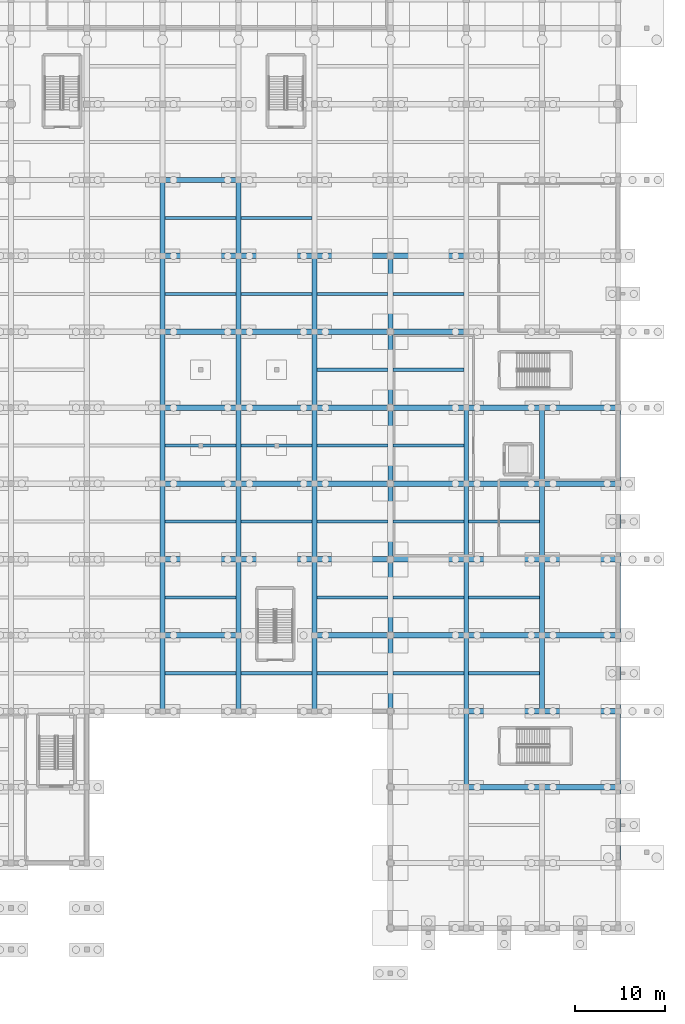
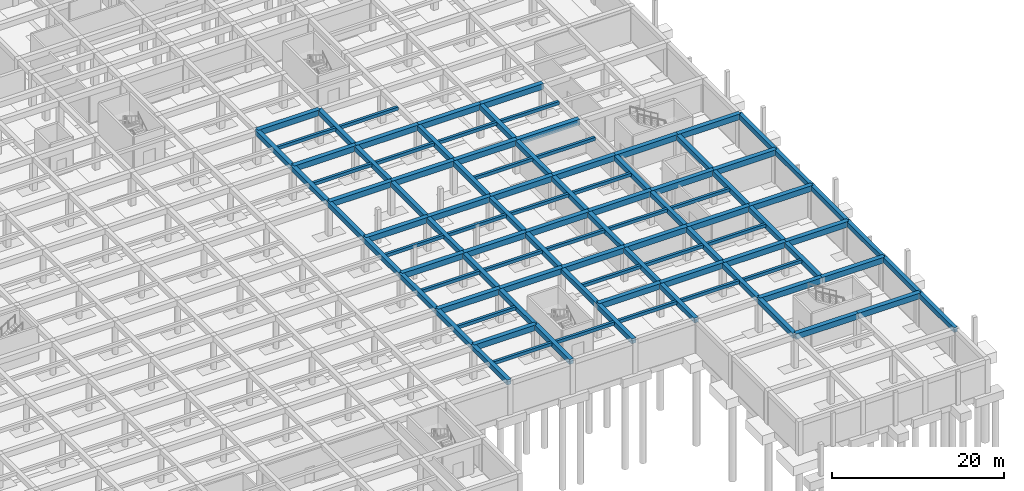
# One storey, part 21 of 51: 103 beams.
"""IFC4 building model written with IfcOpenShell, lengths in metres."""

from ifc_helpers import new_model, si_unit, direction, frame, origin, origin_2d, place, context, subcontext, project, spatial, rectangle, extrude, material, material_profile, profile_set, type_object, element, save


model = new_model("IFC4")

# Units and contexts
model_context = context("Model", 3, precision=1e-05, world=origin(), true_north=direction((0.0, 1.0)))
body_context = subcontext(model_context, "Body", "Model", "MODEL_VIEW")
ifc_project = project(units=[si_unit("LENGTHUNIT", "METRE"), si_unit("AREAUNIT", "SQUARE_METRE"), si_unit("VOLUMEUNIT", "CUBIC_METRE"), si_unit("PLANEANGLEUNIT", "RADIAN"), si_unit("MASSUNIT", "GRAM", prefix="KILO")], contexts=[model_context])

# Site, building, storey
site_placement = place(None, origin())
site = spatial("IfcSite", under=ifc_project, at=site_placement, CompositionType="ELEMENT")
building_placement = place(site_placement, origin())
building = spatial("IfcBuilding", under=site, at=building_placement, Name="Varncliffe General Hospital", CompositionType="ELEMENT")
storey_placement = place(building_placement, frame((0.0, 0.0, -4.800048828125)))
storey = spatial("IfcBuildingStorey", under=building, at=storey_placement, Name="B1", CompositionType="ELEMENT", Elevation=-4.800048828125)

# Beams
ifc_material = material(Name="Concrete C35/45 (CSA A23.1 35 MPa)", Category="concrete")
ifc_material_profile_1 = material_profile(ifc_material, rectangle(XDim=0.550048828125, YDim=0.699951171875, at=origin_2d()), Name="RC 550x700")
ifc_profile_set_1 = profile_set([ifc_material_profile_1], Name="Concrete C35/45 (CSA A23.1 35 MPa)")
beam_type_1 = type_object("IfcBeamType", Name="Beam B35 (Int RC 550x700)", PredefinedType="BEAM", material=ifc_profile_set_1)
beam_1_placement = place(storey_placement, frame((126.0, 24.0, 4.449951171875), z_axis=(0.0, 1.0, 0.0), x_axis=(-1.0, 0.0, 0.0)))
element("IfcBeam", 1, at=beam_1_placement, inside=storey, type_object=beam_type_1, Name="B1 Primary Beam B35-546", PredefinedType="BEAM", context=body_context, shape_type="SweptSolid", body=[
    extrude(rectangle(XDim=0.550048828125, YDim=0.699951171875, at=origin_2d()), origin(), (0.0, 0.0, 1.0), 8.39990234375),
])
beam_2_placement = place(storey_placement, frame((126.0, 32.39990234375, 4.449951171875), z_axis=(0.0, 1.0, 0.0), x_axis=(-1.0, 0.0, 0.0)))
element("IfcBeam", 2, at=beam_2_placement, inside=storey, type_object=beam_type_1, Name="B1 Primary Beam B35-547", PredefinedType="BEAM", context=body_context, shape_type="SweptSolid", body=[
    extrude(rectangle(XDim=0.550048828125, YDim=0.699951171875, at=origin_2d()), origin(), (0.0, 0.0, 1.0), 8.400146484375),
])
beam_3_placement = place(storey_placement, frame((126.0, 40.800048828125, 4.449951171875), z_axis=(0.0, 1.0, 0.0), x_axis=(-1.0, 0.0, 0.0)))
element("IfcBeam", 3, at=beam_3_placement, inside=storey, type_object=beam_type_1, Name="B1 Primary Beam B35-548", PredefinedType="BEAM", context=body_context, shape_type="SweptSolid", body=[
    extrude(rectangle(XDim=0.550048828125, YDim=0.699951171875, at=origin_2d()), origin(), (0.0, 0.0, 1.0), 8.39990234375),
])
beam_4_placement = place(storey_placement, frame((126.0, 49.199951171875, 4.449951171875), z_axis=(0.0, 1.0, 0.0), x_axis=(-1.0, 0.0, 0.0)))
element("IfcBeam", 4, at=beam_4_placement, inside=storey, type_object=beam_type_1, Name="B1 Primary Beam B35-549", PredefinedType="BEAM", context=body_context, shape_type="SweptSolid", body=[
    extrude(rectangle(XDim=0.550048828125, YDim=0.699951171875, at=origin_2d()), origin(), (0.0, 0.0, 1.0), 8.400146484375),
])
for number, where, z_axis, x_axis, name in (
    (5, (126.0, 57.60009765625, 4.449951171875), (0.0, 1.0, 0.0), (-1.0, 0.0, 0.0), "B1 Primary Beam B35-550"),
    (6, (126.0, 66.0, 4.449951171875), (0.0, 1.0, 0.0), (-1.0, 0.0, 0.0), "B1 Primary Beam B35-551"),
):
    element("IfcBeam", number, at=place(storey_placement, frame(where, z_axis=z_axis, x_axis=x_axis)), inside=storey, type_object=beam_type_1, Name=name, PredefinedType="BEAM", context=body_context, shape_type="SweptSolid", body=[
        extrude(rectangle(XDim=0.550048828125, YDim=0.699951171875, at=origin_2d()), origin(), (0.0, 0.0, 1.0), 8.39990234375),
    ])
beam_5_placement = place(storey_placement, frame((126.0, 74.39990234375, 4.449951171875), z_axis=(0.0, 1.0, 0.0), x_axis=(-1.0, 0.0, 0.0)))
element("IfcBeam", 7, at=beam_5_placement, inside=storey, type_object=beam_type_1, Name="B1 Primary Beam B35-552", PredefinedType="BEAM", context=body_context, shape_type="SweptSolid", body=[
    extrude(rectangle(XDim=0.550048828125, YDim=0.699951171875, at=origin_2d()), origin(), (0.0, 0.0, 1.0), 8.400146484375),
])
beam_6_placement = place(storey_placement, frame((134.39990234375, 24.0, 4.449951171875), z_axis=(0.0, 1.0, 0.0), x_axis=(-1.0, 0.0, 0.0)))
element("IfcBeam", 8, at=beam_6_placement, inside=storey, type_object=beam_type_1, Name="B1 Primary Beam B35-560", PredefinedType="BEAM", context=body_context, shape_type="SweptSolid", body=[
    extrude(rectangle(XDim=0.550048828125, YDim=0.699951171875, at=origin_2d()), origin(), (0.0, 0.0, 1.0), 8.39990234375),
])
beam_7_placement = place(storey_placement, frame((134.39990234375, 32.39990234375, 4.449951171875), z_axis=(0.0, 1.0, 0.0), x_axis=(-1.0, 0.0, 0.0)))
element("IfcBeam", 9, at=beam_7_placement, inside=storey, type_object=beam_type_1, Name="B1 Primary Beam B35-561", PredefinedType="BEAM", context=body_context, shape_type="SweptSolid", body=[
    extrude(rectangle(XDim=0.550048828125, YDim=0.699951171875, at=origin_2d()), origin(), (0.0, 0.0, 1.0), 8.400146484375),
])
beam_8_placement = place(storey_placement, frame((134.39990234375, 40.800048828125, 4.449951171875), z_axis=(0.0, 1.0, 0.0), x_axis=(-1.0, 0.0, 0.0)))
element("IfcBeam", 10, at=beam_8_placement, inside=storey, type_object=beam_type_1, Name="B1 Primary Beam B35-562", PredefinedType="BEAM", context=body_context, shape_type="SweptSolid", body=[
    extrude(rectangle(XDim=0.550048828125, YDim=0.699951171875, at=origin_2d()), origin(), (0.0, 0.0, 1.0), 8.39990234375),
])
beam_9_placement = place(storey_placement, frame((134.39990234375, 49.199951171875, 4.449951171875), z_axis=(0.0, 1.0, 0.0), x_axis=(-1.0, 0.0, 0.0)))
element("IfcBeam", 11, at=beam_9_placement, inside=storey, type_object=beam_type_1, Name="B1 Primary Beam B35-563", PredefinedType="BEAM", context=body_context, shape_type="SweptSolid", body=[
    extrude(rectangle(XDim=0.550048828125, YDim=0.699951171875, at=origin_2d()), origin(), (0.0, 0.0, 1.0), 8.400146484375),
])
for number, where, z_axis, x_axis, name in (
    (12, (134.39990234375, 57.60009765625, 4.449951171875), (0.0, 1.0, 0.0), (-1.0, 0.0, 0.0), "B1 Primary Beam B35-564"),
    (13, (134.39990234375, 66.0, 4.449951171875), (0.0, 1.0, 0.0), (-1.0, 0.0, 0.0), "B1 Primary Beam B35-565"),
):
    element("IfcBeam", number, at=place(storey_placement, frame(where, z_axis=z_axis, x_axis=x_axis)), inside=storey, type_object=beam_type_1, Name=name, PredefinedType="BEAM", context=body_context, shape_type="SweptSolid", body=[
        extrude(rectangle(XDim=0.550048828125, YDim=0.699951171875, at=origin_2d()), origin(), (0.0, 0.0, 1.0), 8.39990234375),
    ])
beam_10_placement = place(storey_placement, frame((134.39990234375, 74.39990234375, 4.449951171875), z_axis=(0.0, 1.0, 0.0), x_axis=(-1.0, 0.0, 0.0)))
element("IfcBeam", 14, at=beam_10_placement, inside=storey, type_object=beam_type_1, Name="B1 Primary Beam B35-566", PredefinedType="BEAM", context=body_context, shape_type="SweptSolid", body=[
    extrude(rectangle(XDim=0.550048828125, YDim=0.699951171875, at=origin_2d()), origin(), (0.0, 0.0, 1.0), 8.400146484375),
])
beam_11_placement = place(storey_placement, frame((142.800048828125, 24.0, 4.449951171875), z_axis=(0.0, 1.0, 0.0), x_axis=(-1.0, 0.0, 0.0)))
element("IfcBeam", 15, at=beam_11_placement, inside=storey, type_object=beam_type_1, Name="B1 Primary Beam B35-574", PredefinedType="BEAM", context=body_context, shape_type="SweptSolid", body=[
    extrude(rectangle(XDim=0.550048828125, YDim=0.699951171875, at=origin_2d()), origin(), (0.0, 0.0, 1.0), 8.39990234375),
])
beam_12_placement = place(storey_placement, frame((142.800048828125, 32.39990234375, 4.449951171875), z_axis=(0.0, 1.0, 0.0), x_axis=(-1.0, 0.0, 0.0)))
element("IfcBeam", 16, at=beam_12_placement, inside=storey, type_object=beam_type_1, Name="B1 Primary Beam B35-575", PredefinedType="BEAM", context=body_context, shape_type="SweptSolid", body=[
    extrude(rectangle(XDim=0.550048828125, YDim=0.699951171875, at=origin_2d()), origin(), (0.0, 0.0, 1.0), 8.400146484375),
])
beam_13_placement = place(storey_placement, frame((142.800048828125, 40.800048828125, 4.449951171875), z_axis=(0.0, 1.0, 0.0), x_axis=(-1.0, 0.0, 0.0)))
element("IfcBeam", 17, at=beam_13_placement, inside=storey, type_object=beam_type_1, Name="B1 Primary Beam B35-576", PredefinedType="BEAM", context=body_context, shape_type="SweptSolid", body=[
    extrude(rectangle(XDim=0.550048828125, YDim=0.699951171875, at=origin_2d()), origin(), (0.0, 0.0, 1.0), 8.39990234375),
])
beam_14_placement = place(storey_placement, frame((142.800048828125, 49.199951171875, 4.449951171875), z_axis=(0.0, 1.0, 0.0), x_axis=(-1.0, 0.0, 0.0)))
element("IfcBeam", 18, at=beam_14_placement, inside=storey, type_object=beam_type_1, Name="B1 Primary Beam B35-577", PredefinedType="BEAM", context=body_context, shape_type="SweptSolid", body=[
    extrude(rectangle(XDim=0.550048828125, YDim=0.699951171875, at=origin_2d()), origin(), (0.0, 0.0, 1.0), 8.400146484375),
])
for number, where, z_axis, x_axis, name in (
    (19, (142.800048828125, 57.60009765625, 4.449951171875), (0.0, 1.0, 0.0), (-1.0, 0.0, 0.0), "B1 Primary Beam B35-578"),
    (20, (142.800048828125, 66.0, 4.449951171875), (0.0, 1.0, 0.0), (-1.0, 0.0, 0.0), "B1 Primary Beam B35-579"),
    (21, (151.199951171875, 24.0, 4.449951171875), (0.0, 1.0, 0.0), (-1.0, 0.0, 0.0), "B1 Primary Beam B35-591"),
):
    element("IfcBeam", number, at=place(storey_placement, frame(where, z_axis=z_axis, x_axis=x_axis)), inside=storey, type_object=beam_type_1, Name=name, PredefinedType="BEAM", context=body_context, shape_type="SweptSolid", body=[
        extrude(rectangle(XDim=0.550048828125, YDim=0.699951171875, at=origin_2d()), origin(), (0.0, 0.0, 1.0), 8.39990234375),
    ])
beam_15_placement = place(storey_placement, frame((151.199951171875, 32.39990234375, 4.449951171875), z_axis=(0.0, 1.0, 0.0), x_axis=(-1.0, 0.0, 0.0)))
element("IfcBeam", 22, at=beam_15_placement, inside=storey, type_object=beam_type_1, Name="B1 Primary Beam B35-592", PredefinedType="BEAM", context=body_context, shape_type="SweptSolid", body=[
    extrude(rectangle(XDim=0.550048828125, YDim=0.699951171875, at=origin_2d()), origin(), (0.0, 0.0, 1.0), 8.400146484375),
])
beam_16_placement = place(storey_placement, frame((151.199951171875, 40.800048828125, 4.449951171875), z_axis=(0.0, 1.0, 0.0), x_axis=(-1.0, 0.0, 0.0)))
element("IfcBeam", 23, at=beam_16_placement, inside=storey, type_object=beam_type_1, Name="B1 Primary Beam B35-593", PredefinedType="BEAM", context=body_context, shape_type="SweptSolid", body=[
    extrude(rectangle(XDim=0.550048828125, YDim=0.699951171875, at=origin_2d()), origin(), (0.0, 0.0, 1.0), 8.39990234375),
])
beam_17_placement = place(storey_placement, frame((151.199951171875, 49.199951171875, 4.449951171875), z_axis=(0.0, 1.0, 0.0), x_axis=(-1.0, 0.0, 0.0)))
element("IfcBeam", 24, at=beam_17_placement, inside=storey, type_object=beam_type_1, Name="B1 Primary Beam B35-594", PredefinedType="BEAM", context=body_context, shape_type="SweptSolid", body=[
    extrude(rectangle(XDim=0.550048828125, YDim=0.699951171875, at=origin_2d()), origin(), (0.0, 0.0, 1.0), 8.400146484375),
])
for number, where, z_axis, x_axis, name in (
    (25, (151.199951171875, 57.60009765625, 4.449951171875), (0.0, 1.0, 0.0), (-1.0, 0.0, 0.0), "B1 Primary Beam B35-595"),
    (26, (151.199951171875, 66.0, 4.449951171875), (0.0, 1.0, 0.0), (-1.0, 0.0, 0.0), "B1 Primary Beam B35-596"),
    (27, (159.60009765625, 15.60009765625, 4.449951171875), (0.0, 1.0, 0.0), (-1.0, 0.0, 0.0), "B1 Primary Beam B35-607"),
    (28, (159.60009765625, 24.0, 4.449951171875), (0.0, 1.0, 0.0), (-1.0, 0.0, 0.0), "B1 Primary Beam B35-608"),
):
    element("IfcBeam", number, at=place(storey_placement, frame(where, z_axis=z_axis, x_axis=x_axis)), inside=storey, type_object=beam_type_1, Name=name, PredefinedType="BEAM", context=body_context, shape_type="SweptSolid", body=[
        extrude(rectangle(XDim=0.550048828125, YDim=0.699951171875, at=origin_2d()), origin(), (0.0, 0.0, 1.0), 8.39990234375),
    ])
beam_18_placement = place(storey_placement, frame((159.60009765625, 32.39990234375, 4.449951171875), z_axis=(0.0, 1.0, 0.0), x_axis=(-1.0, 0.0, 0.0)))
element("IfcBeam", 29, at=beam_18_placement, inside=storey, type_object=beam_type_1, Name="B1 Primary Beam B35-609", PredefinedType="BEAM", context=body_context, shape_type="SweptSolid", body=[
    extrude(rectangle(XDim=0.550048828125, YDim=0.699951171875, at=origin_2d()), origin(), (0.0, 0.0, 1.0), 8.400146484375),
])
beam_19_placement = place(storey_placement, frame((159.60009765625, 40.800048828125, 4.449951171875), z_axis=(0.0, 1.0, 0.0), x_axis=(-1.0, 0.0, 0.0)))
element("IfcBeam", 30, at=beam_19_placement, inside=storey, type_object=beam_type_1, Name="B1 Primary Beam B35-610", PredefinedType="BEAM", context=body_context, shape_type="SweptSolid", body=[
    extrude(rectangle(XDim=0.550048828125, YDim=0.699951171875, at=origin_2d()), origin(), (0.0, 0.0, 1.0), 8.39990234375),
])
beam_20_placement = place(storey_placement, frame((159.60009765625, 49.199951171875, 4.449951171875), z_axis=(0.0, 1.0, 0.0), x_axis=(-1.0, 0.0, 0.0)))
element("IfcBeam", 31, at=beam_20_placement, inside=storey, type_object=beam_type_1, Name="B1 Primary Beam B35-611", PredefinedType="BEAM", context=body_context, shape_type="SweptSolid", body=[
    extrude(rectangle(XDim=0.550048828125, YDim=0.699951171875, at=origin_2d()), origin(), (0.0, 0.0, 1.0), 8.400146484375),
])
beam_21_placement = place(storey_placement, frame((168.0, 24.0, 4.449951171875), z_axis=(0.0, 1.0, 0.0), x_axis=(-1.0, 0.0, 0.0)))
element("IfcBeam", 32, at=beam_21_placement, inside=storey, type_object=beam_type_1, Name="B1 Primary Beam B35-624", PredefinedType="BEAM", context=body_context, shape_type="SweptSolid", body=[
    extrude(rectangle(XDim=0.550048828125, YDim=0.699951171875, at=origin_2d()), origin(), (0.0, 0.0, 1.0), 8.39990234375),
])
beam_22_placement = place(storey_placement, frame((168.0, 32.39990234375, 4.449951171875), z_axis=(0.0, 1.0, 0.0), x_axis=(-1.0, 0.0, 0.0)))
element("IfcBeam", 33, at=beam_22_placement, inside=storey, type_object=beam_type_1, Name="B1 Primary Beam B35-625", PredefinedType="BEAM", context=body_context, shape_type="SweptSolid", body=[
    extrude(rectangle(XDim=0.550048828125, YDim=0.699951171875, at=origin_2d()), origin(), (0.0, 0.0, 1.0), 8.400146484375),
])
beam_23_placement = place(storey_placement, frame((168.0, 40.800048828125, 4.449951171875), z_axis=(0.0, 1.0, 0.0), x_axis=(-1.0, 0.0, 0.0)))
element("IfcBeam", 34, at=beam_23_placement, inside=storey, type_object=beam_type_1, Name="B1 Primary Beam B35-626", PredefinedType="BEAM", context=body_context, shape_type="SweptSolid", body=[
    extrude(rectangle(XDim=0.550048828125, YDim=0.699951171875, at=origin_2d()), origin(), (0.0, 0.0, 1.0), 8.39990234375),
])
beam_24_placement = place(storey_placement, frame((168.0, 49.199951171875, 4.449951171875), z_axis=(0.0, 1.0, 0.0), x_axis=(-1.0, 0.0, 0.0)))
element("IfcBeam", 35, at=beam_24_placement, inside=storey, type_object=beam_type_1, Name="B1 Primary Beam B35-627", PredefinedType="BEAM", context=body_context, shape_type="SweptSolid", body=[
    extrude(rectangle(XDim=0.550048828125, YDim=0.699951171875, at=origin_2d()), origin(), (0.0, 0.0, 1.0), 8.400146484375),
])
ifc_material_profile_2 = material_profile(ifc_material, rectangle(XDim=0.60009765625, YDim=0.800048828125, at=origin_2d()), Name="RC 600x800")
ifc_profile_set_2 = profile_set([ifc_material_profile_2], Name="Concrete C35/45 (CSA A23.1 35 MPa)")
beam_type_2 = type_object("IfcBeamType", Name="Beam B40 (Int RC 600x800)", PredefinedType="BEAM", material=ifc_profile_set_2)
for number, where, z_axis, x_axis, name in (
    (36, (159.60009765625, 15.60009765625, 4.400146484375), (1.0, 0.0, 0.0), (0.0, 1.0, 0.0), "B1 Primary Beam B40-29"),
    (37, (168.0, 15.60009765625, 4.400146484375), (1.0, 0.0, 0.0), (0.0, 1.0, 0.0), "B1 Primary Beam B40-30"),
    (38, (159.60009765625, 24.0, 4.400146484375), (1.0, 0.0, 0.0), (0.0, 1.0, 0.0), "B1 Primary Beam B40-49"),
    (39, (168.0, 24.0, 4.400146484375), (1.0, 0.0, 0.0), (0.0, 1.0, 0.0), "B1 Primary Beam B40-50"),
    (40, (126.0, 32.39990234375, 4.400146484375), (1.0, 0.0, 0.0), (0.0, 1.0, 0.0), "B1 Primary Beam B40-65"),
    (41, (142.800048828125, 32.39990234375, 4.400146484375), (1.0, 0.0, 0.0), (0.0, 1.0, 0.0), "B1 Primary Beam B40-66"),
):
    element("IfcBeam", number, at=place(storey_placement, frame(where, z_axis=z_axis, x_axis=x_axis)), inside=storey, type_object=beam_type_2, Name=name, PredefinedType="BEAM", context=body_context, shape_type="SweptSolid", body=[
        extrude(rectangle(XDim=0.60009765625, YDim=0.800048828125, at=origin_2d()), origin(), (0.0, 0.0, 1.0), 8.39990234375),
    ])
beam_25_placement = place(storey_placement, frame((151.199951171875, 32.39990234375, 4.400146484375), z_axis=(1.0, 0.0, 0.0), x_axis=(0.0, 1.0, 0.0)))
element("IfcBeam", 42, at=beam_25_placement, inside=storey, type_object=beam_type_2, Name="B1 Primary Beam B40-67", PredefinedType="BEAM", context=body_context, shape_type="SweptSolid", body=[
    extrude(rectangle(XDim=0.60009765625, YDim=0.800048828125, at=origin_2d()), origin(), (0.0, 0.0, 1.0), 8.400146484375),
])
for number, where, z_axis, x_axis, name in (
    (43, (159.60009765625, 32.39990234375, 4.400146484375), (1.0, 0.0, 0.0), (0.0, 1.0, 0.0), "B1 Primary Beam B40-68"),
    (44, (168.0, 32.39990234375, 4.400146484375), (1.0, 0.0, 0.0), (0.0, 1.0, 0.0), "B1 Primary Beam B40-69"),
    (45, (126.0, 40.800048828125, 4.400146484375), (1.0, 0.0, 0.0), (0.0, 1.0, 0.0), "B1 Primary Beam B40-85"),
):
    element("IfcBeam", number, at=place(storey_placement, frame(where, z_axis=z_axis, x_axis=x_axis)), inside=storey, type_object=beam_type_2, Name=name, PredefinedType="BEAM", context=body_context, shape_type="SweptSolid", body=[
        extrude(rectangle(XDim=0.60009765625, YDim=0.800048828125, at=origin_2d()), origin(), (0.0, 0.0, 1.0), 8.39990234375),
    ])
beam_26_placement = place(storey_placement, frame((134.39990234375, 40.800048828125, 4.400146484375), z_axis=(1.0, 0.0, 0.0), x_axis=(0.0, 1.0, 0.0)))
element("IfcBeam", 46, at=beam_26_placement, inside=storey, type_object=beam_type_2, Name="B1 Primary Beam B40-86", PredefinedType="BEAM", context=body_context, shape_type="SweptSolid", body=[
    extrude(rectangle(XDim=0.60009765625, YDim=0.800048828125, at=origin_2d()), origin(), (0.0, 0.0, 1.0), 8.400146484375),
])
beam_27_placement = place(storey_placement, frame((142.800048828125, 40.800048828125, 4.400146484375), z_axis=(1.0, 0.0, 0.0), x_axis=(0.0, 1.0, 0.0)))
element("IfcBeam", 47, at=beam_27_placement, inside=storey, type_object=beam_type_2, Name="B1 Primary Beam B40-87", PredefinedType="BEAM", context=body_context, shape_type="SweptSolid", body=[
    extrude(rectangle(XDim=0.60009765625, YDim=0.800048828125, at=origin_2d()), origin(), (0.0, 0.0, 1.0), 8.39990234375),
])
beam_28_placement = place(storey_placement, frame((151.199951171875, 40.800048828125, 4.400146484375), z_axis=(1.0, 0.0, 0.0), x_axis=(0.0, 1.0, 0.0)))
element("IfcBeam", 48, at=beam_28_placement, inside=storey, type_object=beam_type_2, Name="B1 Primary Beam B40-88", PredefinedType="BEAM", context=body_context, shape_type="SweptSolid", body=[
    extrude(rectangle(XDim=0.60009765625, YDim=0.800048828125, at=origin_2d()), origin(), (0.0, 0.0, 1.0), 8.400146484375),
])
for number, where, z_axis, x_axis, name in (
    (49, (159.60009765625, 40.800048828125, 4.400146484375), (1.0, 0.0, 0.0), (0.0, 1.0, 0.0), "B1 Primary Beam B40-89"),
    (50, (168.0, 40.800048828125, 4.400146484375), (1.0, 0.0, 0.0), (0.0, 1.0, 0.0), "B1 Primary Beam B40-90"),
    (51, (126.0, 49.199951171875, 4.400146484375), (1.0, 0.0, 0.0), (0.0, 1.0, 0.0), "B1 Primary Beam B40-106"),
):
    element("IfcBeam", number, at=place(storey_placement, frame(where, z_axis=z_axis, x_axis=x_axis)), inside=storey, type_object=beam_type_2, Name=name, PredefinedType="BEAM", context=body_context, shape_type="SweptSolid", body=[
        extrude(rectangle(XDim=0.60009765625, YDim=0.800048828125, at=origin_2d()), origin(), (0.0, 0.0, 1.0), 8.39990234375),
    ])
beam_29_placement = place(storey_placement, frame((134.39990234375, 49.199951171875, 4.400146484375), z_axis=(1.0, 0.0, 0.0), x_axis=(0.0, 1.0, 0.0)))
element("IfcBeam", 52, at=beam_29_placement, inside=storey, type_object=beam_type_2, Name="B1 Primary Beam B40-107", PredefinedType="BEAM", context=body_context, shape_type="SweptSolid", body=[
    extrude(rectangle(XDim=0.60009765625, YDim=0.800048828125, at=origin_2d()), origin(), (0.0, 0.0, 1.0), 8.400146484375),
])
beam_30_placement = place(storey_placement, frame((142.800048828125, 49.199951171875, 4.400146484375), z_axis=(1.0, 0.0, 0.0), x_axis=(0.0, 1.0, 0.0)))
element("IfcBeam", 53, at=beam_30_placement, inside=storey, type_object=beam_type_2, Name="B1 Primary Beam B40-108", PredefinedType="BEAM", context=body_context, shape_type="SweptSolid", body=[
    extrude(rectangle(XDim=0.60009765625, YDim=0.800048828125, at=origin_2d()), origin(), (0.0, 0.0, 1.0), 8.39990234375),
])
beam_31_placement = place(storey_placement, frame((151.199951171875, 49.199951171875, 4.400146484375), z_axis=(1.0, 0.0, 0.0), x_axis=(0.0, 1.0, 0.0)))
element("IfcBeam", 54, at=beam_31_placement, inside=storey, type_object=beam_type_2, Name="B1 Primary Beam B40-109", PredefinedType="BEAM", context=body_context, shape_type="SweptSolid", body=[
    extrude(rectangle(XDim=0.60009765625, YDim=0.800048828125, at=origin_2d()), origin(), (0.0, 0.0, 1.0), 8.400146484375),
])
for number, where, z_axis, x_axis, name in (
    (55, (159.60009765625, 49.199951171875, 4.400146484375), (1.0, 0.0, 0.0), (0.0, 1.0, 0.0), "B1 Primary Beam B40-110"),
    (56, (168.0, 49.199951171875, 4.400146484375), (1.0, 0.0, 0.0), (0.0, 1.0, 0.0), "B1 Primary Beam B40-111"),
    (57, (126.0, 57.60009765625, 4.400146484375), (1.0, 0.0, 0.0), (0.0, 1.0, 0.0), "B1 Primary Beam B40-127"),
):
    element("IfcBeam", number, at=place(storey_placement, frame(where, z_axis=z_axis, x_axis=x_axis)), inside=storey, type_object=beam_type_2, Name=name, PredefinedType="BEAM", context=body_context, shape_type="SweptSolid", body=[
        extrude(rectangle(XDim=0.60009765625, YDim=0.800048828125, at=origin_2d()), origin(), (0.0, 0.0, 1.0), 8.39990234375),
    ])
beam_32_placement = place(storey_placement, frame((134.39990234375, 57.60009765625, 4.400146484375), z_axis=(1.0, 0.0, 0.0), x_axis=(0.0, 1.0, 0.0)))
element("IfcBeam", 58, at=beam_32_placement, inside=storey, type_object=beam_type_2, Name="B1 Primary Beam B40-128", PredefinedType="BEAM", context=body_context, shape_type="SweptSolid", body=[
    extrude(rectangle(XDim=0.60009765625, YDim=0.800048828125, at=origin_2d()), origin(), (0.0, 0.0, 1.0), 8.400146484375),
])
beam_33_placement = place(storey_placement, frame((142.800048828125, 57.60009765625, 4.400146484375), z_axis=(1.0, 0.0, 0.0), x_axis=(0.0, 1.0, 0.0)))
element("IfcBeam", 59, at=beam_33_placement, inside=storey, type_object=beam_type_2, Name="B1 Primary Beam B40-129", PredefinedType="BEAM", context=body_context, shape_type="SweptSolid", body=[
    extrude(rectangle(XDim=0.60009765625, YDim=0.800048828125, at=origin_2d()), origin(), (0.0, 0.0, 1.0), 8.39990234375),
])
beam_34_placement = place(storey_placement, frame((151.199951171875, 57.60009765625, 4.400146484375), z_axis=(1.0, 0.0, 0.0), x_axis=(0.0, 1.0, 0.0)))
element("IfcBeam", 60, at=beam_34_placement, inside=storey, type_object=beam_type_2, Name="B1 Primary Beam B40-130", PredefinedType="BEAM", context=body_context, shape_type="SweptSolid", body=[
    extrude(rectangle(XDim=0.60009765625, YDim=0.800048828125, at=origin_2d()), origin(), (0.0, 0.0, 1.0), 8.400146484375),
])
for number, where, z_axis, x_axis, name in (
    (61, (159.60009765625, 57.60009765625, 4.400146484375), (1.0, 0.0, 0.0), (0.0, 1.0, 0.0), "B1 Primary Beam B40-131"),
    (62, (168.0, 57.60009765625, 4.400146484375), (1.0, 0.0, 0.0), (0.0, 1.0, 0.0), "B1 Primary Beam B40-132"),
    (63, (126.0, 66.0, 4.400146484375), (1.0, 0.0, 0.0), (0.0, 1.0, 0.0), "B1 Primary Beam B40-148"),
):
    element("IfcBeam", number, at=place(storey_placement, frame(where, z_axis=z_axis, x_axis=x_axis)), inside=storey, type_object=beam_type_2, Name=name, PredefinedType="BEAM", context=body_context, shape_type="SweptSolid", body=[
        extrude(rectangle(XDim=0.60009765625, YDim=0.800048828125, at=origin_2d()), origin(), (0.0, 0.0, 1.0), 8.39990234375),
    ])
beam_35_placement = place(storey_placement, frame((134.39990234375, 66.0, 4.400146484375), z_axis=(1.0, 0.0, 0.0), x_axis=(0.0, 1.0, 0.0)))
element("IfcBeam", 64, at=beam_35_placement, inside=storey, type_object=beam_type_2, Name="B1 Primary Beam B40-149", PredefinedType="BEAM", context=body_context, shape_type="SweptSolid", body=[
    extrude(rectangle(XDim=0.60009765625, YDim=0.800048828125, at=origin_2d()), origin(), (0.0, 0.0, 1.0), 8.400146484375),
])
beam_36_placement = place(storey_placement, frame((142.800048828125, 66.0, 4.400146484375), z_axis=(1.0, 0.0, 0.0), x_axis=(0.0, 1.0, 0.0)))
element("IfcBeam", 65, at=beam_36_placement, inside=storey, type_object=beam_type_2, Name="B1 Primary Beam B40-150", PredefinedType="BEAM", context=body_context, shape_type="SweptSolid", body=[
    extrude(rectangle(XDim=0.60009765625, YDim=0.800048828125, at=origin_2d()), origin(), (0.0, 0.0, 1.0), 8.39990234375),
])
beam_37_placement = place(storey_placement, frame((151.199951171875, 66.0, 4.400146484375), z_axis=(1.0, 0.0, 0.0), x_axis=(0.0, 1.0, 0.0)))
element("IfcBeam", 66, at=beam_37_placement, inside=storey, type_object=beam_type_2, Name="B1 Primary Beam B40-151", PredefinedType="BEAM", context=body_context, shape_type="SweptSolid", body=[
    extrude(rectangle(XDim=0.60009765625, YDim=0.800048828125, at=origin_2d()), origin(), (0.0, 0.0, 1.0), 8.400146484375),
])
beam_38_placement = place(storey_placement, frame((126.0, 74.39990234375, 4.400146484375), z_axis=(1.0, 0.0, 0.0), x_axis=(0.0, 1.0, 0.0)))
element("IfcBeam", 67, at=beam_38_placement, inside=storey, type_object=beam_type_2, Name="B1 Primary Beam B40-169", PredefinedType="BEAM", context=body_context, shape_type="SweptSolid", body=[
    extrude(rectangle(XDim=0.60009765625, YDim=0.800048828125, at=origin_2d()), origin(), (0.0, 0.0, 1.0), 8.39990234375),
])
beam_39_placement = place(storey_placement, frame((134.39990234375, 74.39990234375, 4.400146484375), z_axis=(1.0, 0.0, 0.0), x_axis=(0.0, 1.0, 0.0)))
element("IfcBeam", 68, at=beam_39_placement, inside=storey, type_object=beam_type_2, Name="B1 Primary Beam B40-170", PredefinedType="BEAM", context=body_context, shape_type="SweptSolid", body=[
    extrude(rectangle(XDim=0.60009765625, YDim=0.800048828125, at=origin_2d()), origin(), (0.0, 0.0, 1.0), 8.400146484375),
])
beam_40_placement = place(storey_placement, frame((142.800048828125, 74.39990234375, 4.400146484375), z_axis=(1.0, 0.0, 0.0), x_axis=(0.0, 1.0, 0.0)))
element("IfcBeam", 69, at=beam_40_placement, inside=storey, type_object=beam_type_2, Name="B1 Primary Beam B40-171", PredefinedType="BEAM", context=body_context, shape_type="SweptSolid", body=[
    extrude(rectangle(XDim=0.60009765625, YDim=0.800048828125, at=origin_2d()), origin(), (0.0, 0.0, 1.0), 8.39990234375),
])
beam_41_placement = place(storey_placement, frame((151.199951171875, 74.39990234375, 4.400146484375), z_axis=(1.0, 0.0, 0.0), x_axis=(0.0, 1.0, 0.0)))
element("IfcBeam", 70, at=beam_41_placement, inside=storey, type_object=beam_type_2, Name="B1 Primary Beam B40-172", PredefinedType="BEAM", context=body_context, shape_type="SweptSolid", body=[
    extrude(rectangle(XDim=0.60009765625, YDim=0.800048828125, at=origin_2d()), origin(), (0.0, 0.0, 1.0), 8.400146484375),
])
beam_42_placement = place(storey_placement, frame((126.0, 82.800048828125, 4.400146484375), z_axis=(1.0, 0.0, 0.0), x_axis=(0.0, 1.0, 0.0)))
element("IfcBeam", 71, at=beam_42_placement, inside=storey, type_object=beam_type_2, Name="B1 Primary Beam B40-190", PredefinedType="BEAM", context=body_context, shape_type="SweptSolid", body=[
    extrude(rectangle(XDim=0.60009765625, YDim=0.800048828125, at=origin_2d()), origin(), (0.0, 0.0, 1.0), 8.39990234375),
])
ifc_material_profile_3 = material_profile(ifc_material, rectangle(XDim=0.35009765625, YDim=0.449951171875, at=origin_2d()), Name="RC 350x450")
ifc_profile_set_3 = profile_set([ifc_material_profile_3], Name="Concrete C35/45 (CSA A23.1 35 MPa)")
beam_type_3 = type_object("IfcBeamType", Name="Joist J55 (Int RC 350x450)", PredefinedType="JOIST", material=ifc_profile_set_3)
for number, where, z_axis, x_axis, name in (
    (72, (126.27294921875, 28.199951171875, 4.574951171875), (1.0, 0.0, 0.0), (0.0, 1.0, 0.0), "B1 Secondary Floor Rib J55-129"),
    (73, (126.27294921875, 36.60009765625, 4.574951171875), (1.0, 0.0, 0.0), (0.0, 1.0, 0.0), "B1 Secondary Floor Rib J55-130"),
    (74, (126.27294921875, 45.0, 4.574951171875), (1.0, 0.0, 0.0), (0.0, 1.0, 0.0), "B1 Secondary Floor Rib J55-131"),
    (75, (126.27294921875, 53.39990234375, 4.574951171875), (1.0, 0.0, 0.0), (0.0, 1.0, 0.0), "B1 Secondary Floor Rib J55-132"),
    (76, (126.27294921875, 70.199951171875, 4.574951171875), (1.0, 0.0, 0.0), (0.0, 1.0, 0.0), "B1 Secondary Floor Rib J55-133"),
    (77, (126.27294921875, 78.60009765625, 4.574951171875), (1.0, 0.0, 0.0), (0.0, 1.0, 0.0), "B1 Secondary Floor Rib J55-134"),
    (78, (134.673095703125, 28.199951171875, 4.574951171875), (1.0, 0.0, 0.0), (0.0, 1.0, 0.0), "B1 Secondary Floor Rib J55-137"),
    (79, (134.673095703125, 45.0, 4.574951171875), (1.0, 0.0, 0.0), (0.0, 1.0, 0.0), "B1 Secondary Floor Rib J55-138"),
    (80, (134.673095703125, 53.39990234375, 4.574951171875), (1.0, 0.0, 0.0), (0.0, 1.0, 0.0), "B1 Secondary Floor Rib J55-139"),
    (81, (134.673095703125, 70.199951171875, 4.574951171875), (1.0, 0.0, 0.0), (0.0, 1.0, 0.0), "B1 Secondary Floor Rib J55-140"),
    (82, (134.673095703125, 78.60009765625, 4.574951171875), (1.0, 0.0, 0.0), (0.0, 1.0, 0.0), "B1 Secondary Floor Rib J55-141"),
    (83, (143.072998046875, 28.199951171875, 4.574951171875), (1.0, 0.0, 0.0), (0.0, 1.0, 0.0), "B1 Secondary Floor Rib J55-143"),
    (84, (143.072998046875, 36.60009765625, 4.574951171875), (1.0, 0.0, 0.0), (0.0, 1.0, 0.0), "B1 Secondary Floor Rib J55-144"),
    (85, (143.072998046875, 45.0, 4.574951171875), (1.0, 0.0, 0.0), (0.0, 1.0, 0.0), "B1 Secondary Floor Rib J55-145"),
    (86, (143.072998046875, 53.39990234375, 4.574951171875), (1.0, 0.0, 0.0), (0.0, 1.0, 0.0), "B1 Secondary Floor Rib J55-146"),
    (87, (143.072998046875, 61.800048828125, 4.574951171875), (1.0, 0.0, 0.0), (0.0, 1.0, 0.0), "B1 Secondary Floor Rib J55-147"),
    (88, (143.072998046875, 70.199951171875, 4.574951171875), (1.0, 0.0, 0.0), (0.0, 1.0, 0.0), "B1 Secondary Floor Rib J55-148"),
    (89, (151.472900390625, 28.199951171875, 4.574951171875), (1.0, 0.0, 0.0), (0.0, 1.0, 0.0), "B1 Secondary Floor Rib J55-152"),
    (90, (151.472900390625, 36.60009765625, 4.574951171875), (1.0, 0.0, 0.0), (0.0, 1.0, 0.0), "B1 Secondary Floor Rib J55-153"),
    (91, (151.472900390625, 45.0, 4.574951171875), (1.0, 0.0, 0.0), (0.0, 1.0, 0.0), "B1 Secondary Floor Rib J55-154"),
    (92, (151.472900390625, 53.39990234375, 4.574951171875), (1.0, 0.0, 0.0), (0.0, 1.0, 0.0), "B1 Secondary Floor Rib J55-155"),
    (93, (151.472900390625, 61.800048828125, 4.574951171875), (1.0, 0.0, 0.0), (0.0, 1.0, 0.0), "B1 Secondary Floor Rib J55-156"),
    (94, (151.472900390625, 70.199951171875, 4.574951171875), (1.0, 0.0, 0.0), (0.0, 1.0, 0.0), "B1 Secondary Floor Rib J55-157"),
    (95, (159.873046875, 28.199951171875, 4.574951171875), (1.0, 0.0, 0.0), (0.0, 1.0, 0.0), "B1 Secondary Floor Rib J55-162"),
    (96, (159.873046875, 36.60009765625, 4.574951171875), (1.0, 0.0, 0.0), (0.0, 1.0, 0.0), "B1 Secondary Floor Rib J55-163"),
    (97, (159.873046875, 45.0, 4.574951171875), (1.0, 0.0, 0.0), (0.0, 1.0, 0.0), "B1 Secondary Floor Rib J55-164"),
):
    element("IfcBeam", number, at=place(storey_placement, frame(where, z_axis=z_axis, x_axis=x_axis)), inside=storey, type_object=beam_type_3, Name=name, PredefinedType="JOIST", context=body_context, shape_type="SweptSolid", body=[
        extrude(rectangle(XDim=0.35009765625, YDim=0.449951171875, at=origin_2d()), origin(), (0.0, 0.0, 1.0), 7.85400390625),
    ])
ifc_material_profile_4 = material_profile(ifc_material, rectangle(XDim=0.5, YDim=0.699951171875, at=origin_2d()), Name="RC 500x700")
ifc_profile_set_4 = profile_set([ifc_material_profile_4], Name="Concrete C35/45 (CSA A23.1 35 MPa)")
beam_type_4 = type_object("IfcBeamType", Name="Spandrel SP19 (Ext RC 500x700)", PredefinedType="SPANDREL", material=ifc_profile_set_4)
beam_43_placement = place(storey_placement, frame((176.39990234375, 7.199951171875, 4.449951171875), z_axis=(0.0, 1.0, 0.0), x_axis=(-1.0, 0.0, 0.0)))
element("IfcBeam", 98, at=beam_43_placement, inside=storey, type_object=beam_type_4, Name="B1 Spandrel Beam SP19-638", PredefinedType="SPANDREL", context=body_context, shape_type="SweptSolid", body=[
    extrude(rectangle(XDim=0.5, YDim=0.699951171875, at=origin_2d()), origin(), (0.0, 0.0, 1.0), 8.400146484375),
])
for number, where, z_axis, x_axis, name in (
    (99, (176.39990234375, 15.60009765625, 4.449951171875), (0.0, 1.0, 0.0), (-1.0, 0.0, 0.0), "B1 Spandrel Beam SP19-639"),
    (100, (176.39990234375, 24.0, 4.449951171875), (0.0, 1.0, 0.0), (-1.0, 0.0, 0.0), "B1 Spandrel Beam SP19-640"),
):
    element("IfcBeam", number, at=place(storey_placement, frame(where, z_axis=z_axis, x_axis=x_axis)), inside=storey, type_object=beam_type_4, Name=name, PredefinedType="SPANDREL", context=body_context, shape_type="SweptSolid", body=[
        extrude(rectangle(XDim=0.5, YDim=0.699951171875, at=origin_2d()), origin(), (0.0, 0.0, 1.0), 8.39990234375),
    ])
beam_44_placement = place(storey_placement, frame((176.39990234375, 32.39990234375, 4.449951171875), z_axis=(0.0, 1.0, 0.0), x_axis=(-1.0, 0.0, 0.0)))
element("IfcBeam", 101, at=beam_44_placement, inside=storey, type_object=beam_type_4, Name="B1 Spandrel Beam SP19-641", PredefinedType="SPANDREL", context=body_context, shape_type="SweptSolid", body=[
    extrude(rectangle(XDim=0.5, YDim=0.699951171875, at=origin_2d()), origin(), (0.0, 0.0, 1.0), 8.400146484375),
])
beam_45_placement = place(storey_placement, frame((176.39990234375, 40.800048828125, 4.449951171875), z_axis=(0.0, 1.0, 0.0), x_axis=(-1.0, 0.0, 0.0)))
element("IfcBeam", 102, at=beam_45_placement, inside=storey, type_object=beam_type_4, Name="B1 Spandrel Beam SP19-642", PredefinedType="SPANDREL", context=body_context, shape_type="SweptSolid", body=[
    extrude(rectangle(XDim=0.5, YDim=0.699951171875, at=origin_2d()), origin(), (0.0, 0.0, 1.0), 8.39990234375),
])
beam_46_placement = place(storey_placement, frame((176.39990234375, 49.199951171875, 4.449951171875), z_axis=(0.0, 1.0, 0.0), x_axis=(-1.0, 0.0, 0.0)))
element("IfcBeam", 103, at=beam_46_placement, inside=storey, type_object=beam_type_4, Name="B1 Spandrel Beam SP19-643", PredefinedType="SPANDREL", context=body_context, shape_type="SweptSolid", body=[
    extrude(rectangle(XDim=0.5, YDim=0.699951171875, at=origin_2d()), origin(), (0.0, 0.0, 1.0), 8.400146484375),
])

save(model, "model.ifc")
